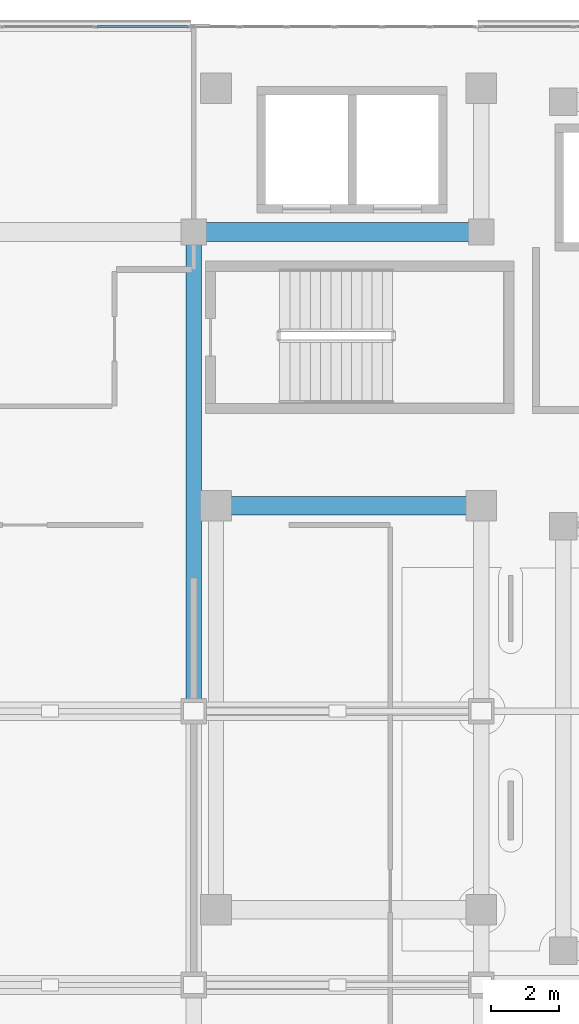
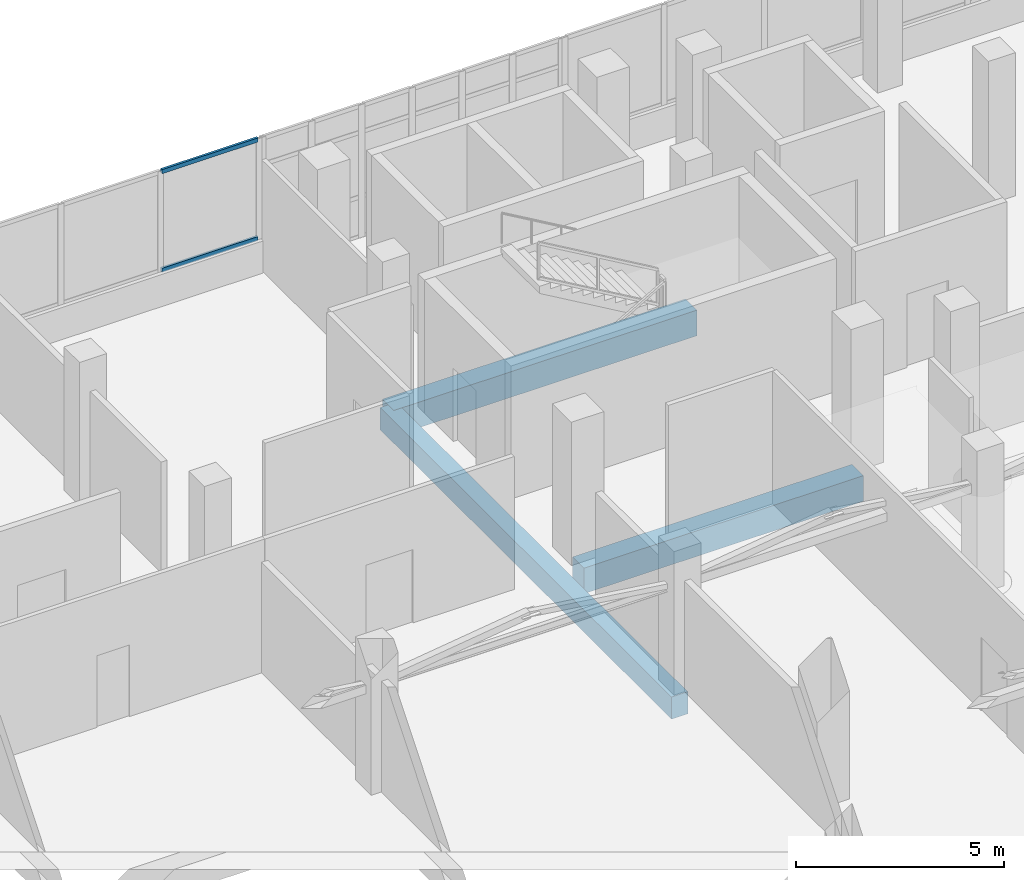
# One storey, part 97 of 184: 3 beams, 2 members, 1 element without a shape of its own.
"""IFC4 building model written with IfcOpenShell, lengths in metres."""

from ifc_helpers import new_model, si_unit, direction, frame, origin, origin_2d, place, context, subcontext, project, spatial, rectangle, hollow_rectangle, extrude, material, material_profile, profile_set, type_object, element, aggregate, save


model = new_model("IFC4")

# Units and contexts
model_context = context("Model", 3, precision=1e-05, world=origin(), true_north=direction((0.0, 1.0)))
body_context = subcontext(model_context, "Body", "Model", "MODEL_VIEW")
ifc_project = project(units=[si_unit("LENGTHUNIT", "METRE"), si_unit("AREAUNIT", "SQUARE_METRE"), si_unit("VOLUMEUNIT", "CUBIC_METRE"), si_unit("PLANEANGLEUNIT", "RADIAN"), si_unit("MASSUNIT", "GRAM", prefix="KILO")], contexts=[model_context])

# Site, building, storey
site_placement = place(None, origin())
site = spatial("IfcSite", under=ifc_project, at=site_placement, CompositionType="ELEMENT")
building_placement = place(site_placement, origin())
building = spatial("IfcBuilding", under=site, at=building_placement, Name="Selatvlak General Hospital", CompositionType="ELEMENT")
storey_placement = place(building_placement, frame((0.0, 0.0, 15.0)))
storey = spatial("IfcBuildingStorey", under=building, at=storey_placement, Name="L03", CompositionType="ELEMENT", Elevation=15.0)

# Beams
ifc_material_1 = material(Name="Concrete C40/50", Category="concrete")
ifc_material_profile_1 = material_profile(ifc_material_1, rectangle(XDim=0.550048828125, YDim=0.75, at=origin_2d()), Name="RC-BM 550x750")
ifc_profile_set_1 = profile_set([ifc_material_profile_1], Name="Concrete C40/50")
beam_type_1 = type_object("IfcBeamType", Name="BM-G02", PredefinedType="BEAM", material=ifc_profile_set_1)
beam_1_placement = place(storey_placement, frame((48.64990234375, 106.0, -0.715087890625), z_axis=(1.0, 0.0, 0.0), x_axis=(0.0, 1.0, 0.0)))
element("IfcBeam", 1, at=beam_1_placement, inside=storey, type_object=beam_type_1, Name="Beam BMR-L03-1245", PredefinedType="BEAM", context=body_context, shape_type="SweptSolid", body=[
    extrude(rectangle(XDim=0.550048828125, YDim=0.75, at=origin_2d()), origin(), (0.0, 0.0, 1.0), 7.75),
])
beam_2_placement = place(storey_placement, frame((48.0, 114.0, -0.715087890625), z_axis=(1.0, 0.0, 0.0), x_axis=(0.0, 1.0, 0.0)))
element("IfcBeam", 2, at=beam_2_placement, inside=storey, type_object=beam_type_1, Name="Beam BMR-L03-1265", PredefinedType="BEAM", context=body_context, shape_type="SweptSolid", body=[
    extrude(rectangle(XDim=0.550048828125, YDim=0.75, at=origin_2d()), origin(), (0.0, 0.0, 1.0), 8.39990234375),
])
ifc_material_profile_2 = material_profile(ifc_material_1, rectangle(XDim=0.449951171875, YDim=0.64990234375, at=origin_2d()), Name="RC-BM 450x650")
ifc_profile_set_2 = profile_set([ifc_material_profile_2], Name="Concrete C40/50")
beam_type_2 = type_object("IfcBeamType", Name="BM-G04", PredefinedType="BEAM", material=ifc_profile_set_2)
beam_3_placement = place(storey_placement, frame((48.0, 100.0, -0.6650390625), z_axis=(0.0, 1.0, 0.0), x_axis=(-1.0, 0.0, 0.0)))
element("IfcBeam", 3, at=beam_3_placement, inside=storey, type_object=beam_type_2, Name="Beam BMR-L03-1313", PredefinedType="BEAM", context=body_context, shape_type="SweptSolid", body=[
    extrude(rectangle(XDim=0.449951171875, YDim=0.64990234375, at=origin_2d()), origin(), (0.0, 0.0, 1.0), 14.0),
])

# Curtain wall, members
ifc_material_2 = material(Name="Solar-control Low-E double glazing", Category="glass")
curtain_wall_type = type_object("IfcCurtainWallType", Name="CW-CW-02", PredefinedType="USERDEFINED", material=ifc_material_2)
curtain_wall_placement = place(storey_placement, origin())
curtain_wall = element("IfcCurtainWall", 4, at=curtain_wall_placement, inside=storey, type_object=curtain_wall_type, Name="Glazed facade curtain wall CW-L03-0367", ObjectType="UNITISED CURTAIN WALL", PredefinedType="USERDEFINED")
ifc_material_3 = material(Name="Dark anodised aluminium mullion", Category="aluminium")
ifc_material_profile_3 = material_profile(ifc_material_3, hollow_rectangle(XDim=0.06494140625, YDim=0.1201171875, WallThickness=0.00390625, at=origin_2d()), Name="AL-TRN 65x120x4")
ifc_profile_set_3 = profile_set([ifc_material_profile_3], Name="Dark anodised aluminium mullion")
member_type = type_object("IfcMemberType", Name="CWT-01", PredefinedType="USERDEFINED", material=ifc_profile_set_3)
member_1_placement = place(storey_placement, frame((45.1708984375, 119.9990234375, 0.972412109375), z_axis=(1.0, 0.0, 0.0), x_axis=(0.0, 1.0, 0.0)))
member_1 = element("IfcMember", 5, at=member_1_placement, type_object=member_type, Name="CW-02 transom 3.1", ObjectType="TRANSOM", PredefinedType="USERDEFINED", context=body_context, shape_type="SweptSolid", body=[
    extrude(hollow_rectangle(XDim=0.06494140625, YDim=0.1201171875, WallThickness=0.00390625, at=origin_2d()), origin(), (0.0, 0.0, 1.0), 2.669189453125),
])
member_2_placement = place(storey_placement, frame((45.1708984375, 119.9990234375, 3.862548828125), z_axis=(1.0, 0.0, 0.0), x_axis=(0.0, 1.0, 0.0)))
member_2 = element("IfcMember", 6, at=member_2_placement, type_object=member_type, Name="CW-02 transom 3.2", ObjectType="TRANSOM", PredefinedType="USERDEFINED", context=body_context, shape_type="SweptSolid", body=[
    extrude(hollow_rectangle(XDim=0.06494140625, YDim=0.1201171875, WallThickness=0.00390625, at=origin_2d()), origin(), (0.0, 0.0, 1.0), 2.669189453125),
])
aggregate(curtain_wall, [member_1, member_2])

save(model, "model.ifc")
